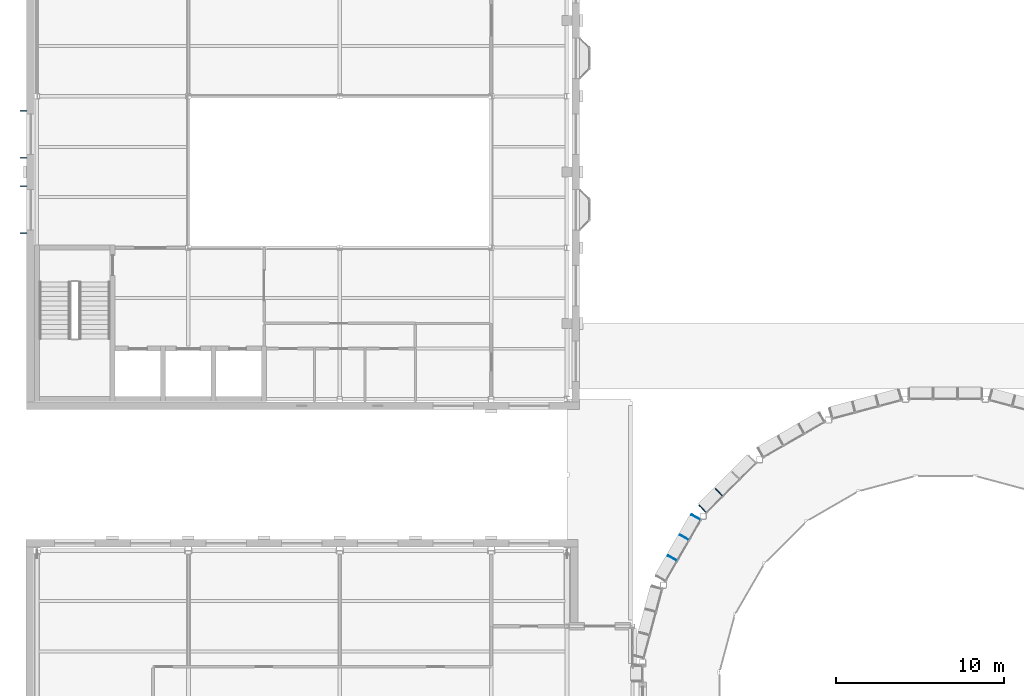
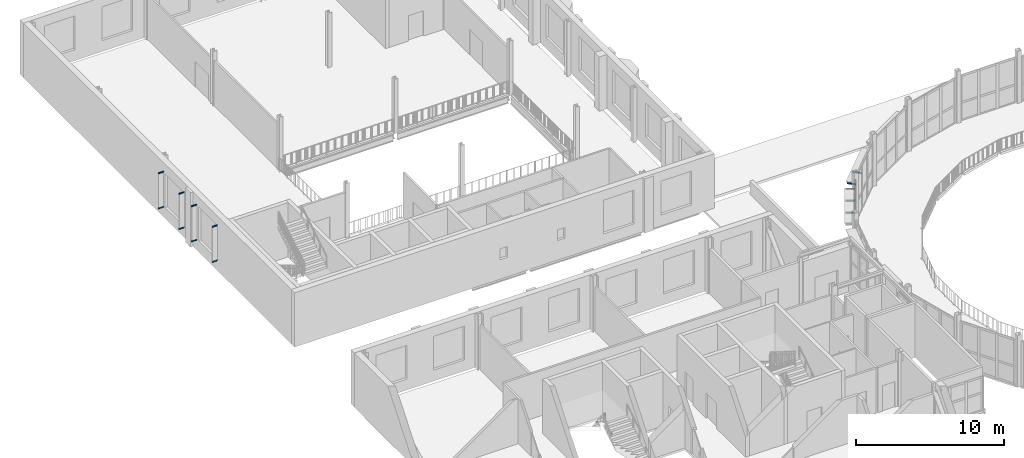
# One storey, part 50 of 74: 13 discrete accessories.
"""IFC4 building model written with IfcOpenShell, lengths in metres."""

from ifc_helpers import new_model, si_unit, direction, frame, origin, origin_2d, place, context, subcontext, project, spatial, rectangle, extrude, material, layer, layer_set, type_object, element, save


model = new_model("IFC4")

# Units and contexts
model_context = context("Model", 3, precision=1e-05, world=origin(), true_north=direction((0.0, 1.0)))
body_context = subcontext(model_context, "Body", "Model", "MODEL_VIEW")
ifc_project = project(units=[si_unit("LENGTHUNIT", "METRE"), si_unit("AREAUNIT", "SQUARE_METRE"), si_unit("VOLUMEUNIT", "CUBIC_METRE"), si_unit("PLANEANGLEUNIT", "RADIAN"), si_unit("MASSUNIT", "GRAM", prefix="KILO")], contexts=[model_context])

# Site, building, storey
site_placement = place(None, origin())
site = spatial("IfcSite", under=ifc_project, at=site_placement, CompositionType="ELEMENT")
building_placement = place(site_placement, origin())
building = spatial("IfcBuilding", under=site, at=building_placement, Name="Hortulan Conservatory and Botanical Research Centre", CompositionType="ELEMENT")
storey_placement = place(building_placement, frame((0.0, 0.0, 6.0)))
storey = spatial("IfcBuildingStorey", under=building, at=storey_placement, Name="L01", CompositionType="ELEMENT", Elevation=6.0)

# Discrete accessories
ifc_material = material(Name="Bronze-charcoal painted wrought iron", Category="metal")
ifc_layer_1 = layer(ifc_material, 0.050048828125)
ifc_layer_set_1 = layer_set([ifc_layer_1], Name="Blade Hanger Bracket 50x600x120")
discrete_accessory_type_1 = type_object("IfcDiscreteAccessoryType", Name="Blade Hanger Bracket 50x600x120", PredefinedType="BRACKET", material=ifc_layer_set_1)
for number, where, z_axis, x_axis, name in (
    (1, (39.55908203125, 29.4814453125, 2.97998046875), (0.0, 0.0, 1.0), (0.707094439737, 0.70711912242, 0.0), "Blade hanger bracket"),
    (2, (40.538330078125, 30.4609375, 2.97998046875), (0.0, 0.0, 1.0), (0.707094439737, 0.70711912242, 0.0), "Blade hanger bracket"),
    (3, (37.770751953125, 26.550048828125, 2.97998046875), (0.0, 0.0, 1.0), (0.499981861897, 0.86603587557, 0.0), "Blade hanger bracket"),
    (4, (38.480712890625, 27.780029296875, 2.97998046875), (0.0, 0.0, 1.0), (0.499981861897, 0.86603587557, 0.0), "Blade hanger bracket"),
    (5, (39.17578125, 28.98388671875, 2.97998046875), (0.0, 0.0, 1.0), (0.499981861897, 0.86603587557, 0.0), "Blade hanger bracket"),
):
    element("IfcDiscreteAccessory", number, at=place(storey_placement, frame(where, z_axis=z_axis, x_axis=x_axis)), inside=storey, type_object=discrete_accessory_type_1, Name=name, PredefinedType="BRACKET", context=body_context, shape_type="SweptSolid", body=[
        extrude(rectangle(XDim=0.050048828125, YDim=0.60009765625, at=origin_2d()), origin(), (0.0, 0.0, 1.0), 0.1201171875),
    ])
ifc_layer_2 = layer(ifc_material, 0.050048828125)
ifc_layer_set_2 = layer_set([ifc_layer_2], Name="Fin Bracket 50x400x100")
discrete_accessory_type_2 = type_object("IfcDiscreteAccessoryType", Name="Fin Bracket 50x400x100", PredefinedType="BRACKET", material=ifc_layer_set_2)
for number, where, z_axis, x_axis, name in (
    (6, (-0.804443359375, 45.85009765625, 0.800048828125), (0.0, 0.0, 1.0), (0.0, 1.0, 0.0), "Fin bracket"),
    (7, (-0.804443359375, 45.85009765625, 3.699951171875), (0.0, 0.0, 1.0), (0.0, 1.0, 0.0), "Fin bracket"),
    (8, (-0.804443359375, 48.64990234375, 0.800048828125), (0.0, 0.0, 1.0), (0.0, 1.0, 0.0), "Fin bracket"),
    (9, (-0.804443359375, 48.64990234375, 3.699951171875), (0.0, 0.0, 1.0), (0.0, 1.0, 0.0), "Fin bracket"),
    (10, (-0.804443359375, 50.35009765625, 0.800048828125), (0.0, 0.0, 1.0), (0.0, 1.0, 0.0), "Fin bracket"),
    (11, (-0.804443359375, 50.35009765625, 3.699951171875), (0.0, 0.0, 1.0), (0.0, 1.0, 0.0), "Fin bracket"),
    (12, (-0.804443359375, 53.14990234375, 0.800048828125), (0.0, 0.0, 1.0), (0.0, 1.0, 0.0), "Fin bracket"),
    (13, (-0.804443359375, 53.14990234375, 3.699951171875), (0.0, 0.0, 1.0), (0.0, 1.0, 0.0), "Fin bracket"),
):
    element("IfcDiscreteAccessory", number, at=place(storey_placement, frame(where, z_axis=z_axis, x_axis=x_axis)), inside=storey, type_object=discrete_accessory_type_2, Name=name, PredefinedType="BRACKET", context=body_context, shape_type="SweptSolid", body=[
        extrude(rectangle(XDim=0.050048828125, YDim=0.39990234375, at=origin_2d()), origin(), (0.0, 0.0, 1.0), 0.10009765625),
    ])

save(model, "model.ifc")
